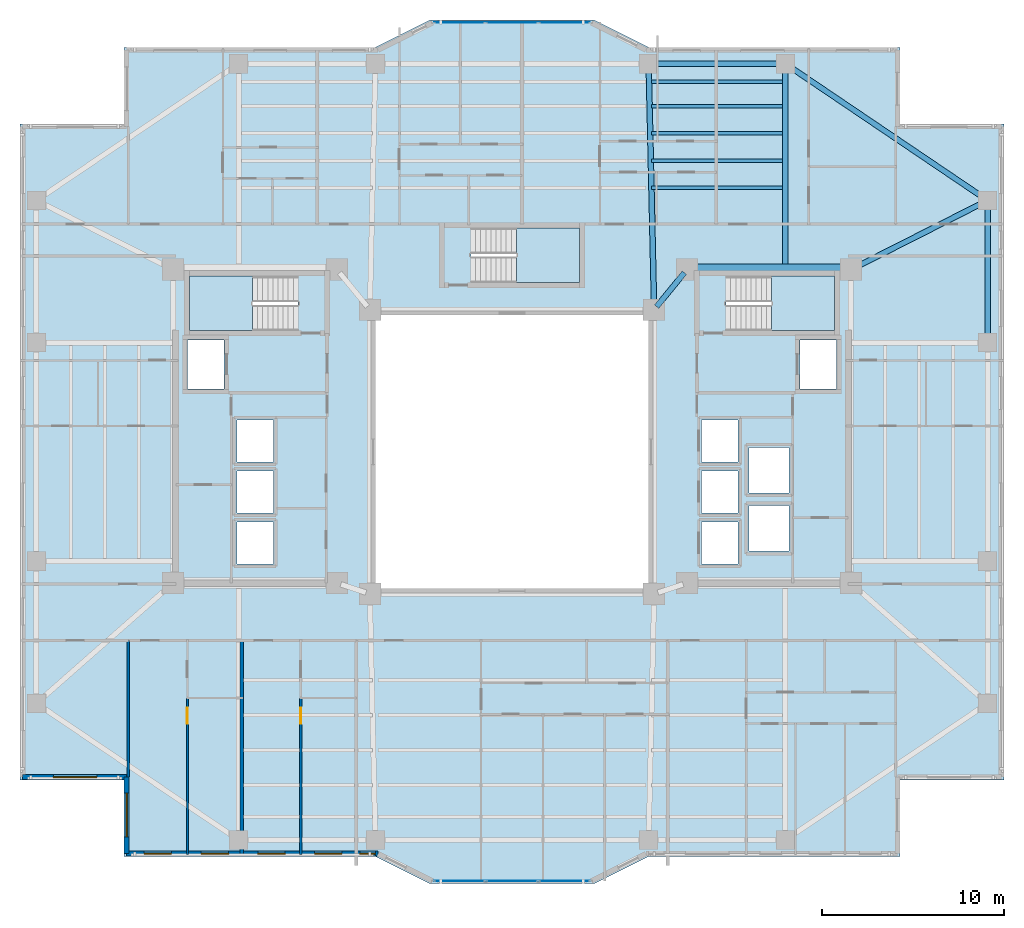
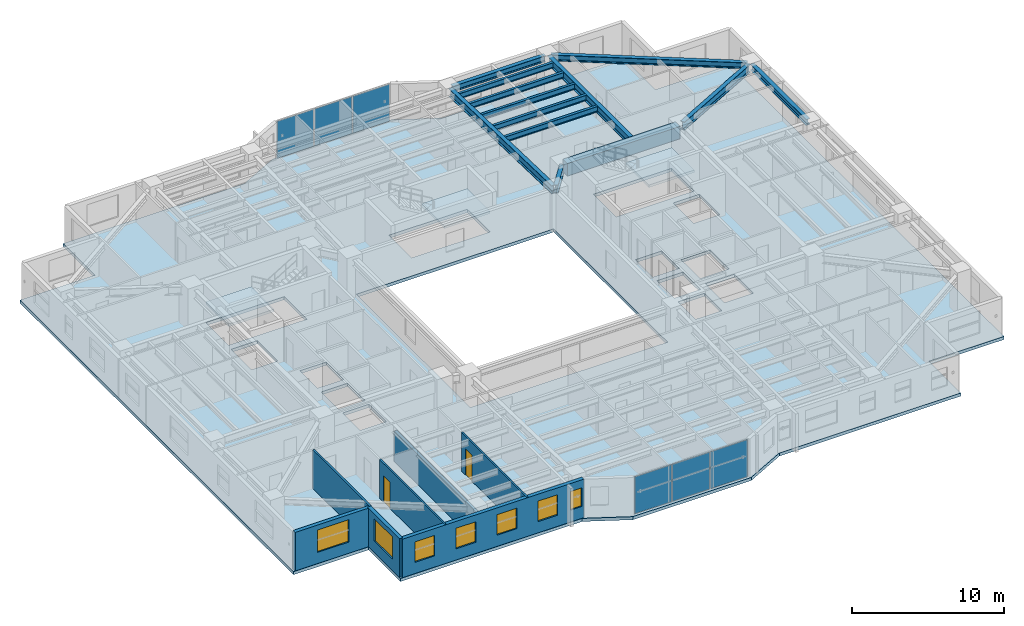
# One storey, part 5 of 19: 13 beams, 7 walls, 7 windows, 6 plates, 4 slabs, 2 doors, 9 openings, 5 elements without a shape of their own.
"""IFC4 building model written with IfcOpenShell, lengths in metres."""

from ifc_helpers import new_model, si_unit, direction, frame, frame_2d, origin, origin_2d, place, context, subcontext, project, spatial, polyline, rectangle, i_section, outline, extrude, material, layer, layer_set, material_profile, profile_set, type_object, element, fill, aggregate, save


model = new_model("IFC4")

# Units and contexts
model_context = context("Model", 3, precision=1e-05, world=origin(), true_north=direction((0.0, 1.0)))
body_context = subcontext(model_context, "Body", "Model", "MODEL_VIEW")
ifc_project = project(units=[si_unit("LENGTHUNIT", "METRE"), si_unit("AREAUNIT", "SQUARE_METRE"), si_unit("VOLUMEUNIT", "CUBIC_METRE"), si_unit("PLANEANGLEUNIT", "RADIAN"), si_unit("MASSUNIT", "GRAM", prefix="KILO")], contexts=[model_context])

# Site, building, storey
site_placement = place(None, origin())
site = spatial("IfcSite", under=ifc_project, at=site_placement, CompositionType="ELEMENT")
building_placement = place(site_placement, origin())
building = spatial("IfcBuilding", under=site, at=building_placement, Name="Tarnavaz Court Tower", CompositionType="ELEMENT")
storey_placement = place(building_placement, frame((0.0, 0.0, 81.64990234375)))
storey = spatial("IfcBuildingStorey", under=building, at=storey_placement, Name="L21", CompositionType="ELEMENT", Elevation=81.64990234375)

# Beams
ifc_material_1 = material(Name="Concrete C60/75", Category="concrete")
ifc_material_profile_1 = material_profile(ifc_material_1, rectangle(XDim=0.60009765625, YDim=1.0, at=origin_2d()), Name="RC 600X1000")
ifc_profile_set_1 = profile_set([ifc_material_profile_1], Name="Concrete C60/75")
beam_type_1 = type_object("IfcBeamType", Name="BM-CB1000", PredefinedType="LINTEL", material=ifc_profile_set_1)
beam_1_placement = place(storey_placement, frame((18.3798828125, 10.0, 2.60009765625), z_axis=(-1.0, 0.0, 0.0), x_axis=(0.0, -1.0, 0.0)))
element("IfcBeam", 1, at=beam_1_placement, inside=storey, type_object=beam_type_1, Name="L21 Beam IN-CE-NO-CE-NI", PredefinedType="LINTEL", context=body_context, shape_type="SweptSolid", body=[
    extrude(rectangle(XDim=0.60009765625, YDim=1.0, at=origin_2d()), origin(), (0.0, 0.0, 1.0), 8.559814453125),
])
ifc_material_2 = material(Name="Steel S355", Category="steel")
ifc_material_profile_2 = material_profile(ifc_material_2, i_section(OverallWidth=0.300048828125, OverallDepth=0.64990234375, WebThickness=0.01611328125, FlangeThickness=0.031005859375, FilletRadius=0.027099609375, at=origin_2d()), Name="HEB 650")
ifc_profile_set_2 = profile_set([ifc_material_profile_2], Name="Steel S355")
beam_type_2 = type_object("IfcBeamType", Name="BM-G-HEB650", PredefinedType="USERDEFINED", material=ifc_profile_set_2)
beam_2_placement = place(storey_placement, frame((9.460693359375, 9.82958984375, 2.775146484375), z_axis=(-0.633282058357, -0.773921077735, 0.0), x_axis=(0.773921077735, -0.633282058357, 0.0)))
element("IfcBeam", 2, at=beam_2_placement, inside=storey, type_object=beam_type_2, Name="L21 Beam IN-CE-NI-IW-NE", ObjectType="GIRDER", PredefinedType="USERDEFINED", context=body_context, shape_type="SweptSolid", body=[
    extrude(i_section(OverallWidth=0.300048828125, OverallDepth=0.64990234375, WebThickness=0.01611328125, FlangeThickness=0.031005859375, FilletRadius=0.027099609375, at=origin_2d()), origin(), (0.0, 0.0, 1.0), 2.402587890625),
])
beam_3_placement = place(storey_placement, frame((7.795166015625, 8.02001953125, 2.775146484375), z_axis=(-0.022221303469, 0.99975307635, 0.0), x_axis=(-0.99975307635, -0.022221303469, 0.0)))
element("IfcBeam", 3, at=beam_3_placement, inside=storey, type_object=beam_type_2, Name="L21 Beam RG-03", ObjectType="GIRDER", PredefinedType="USERDEFINED", context=body_context, shape_type="SweptSolid", body=[
    extrude(i_section(OverallWidth=0.300048828125, OverallDepth=0.64990234375, WebThickness=0.01611328125, FlangeThickness=0.031005859375, FilletRadius=0.027099609375, at=origin_2d()), origin(), (0.0, 0.0, 1.0), 13.063232421875),
])
beam_4_placement = place(storey_placement, frame((15.0, 10.0400390625, 2.775146484375), z_axis=(0.0, 1.0, 0.0), x_axis=(-1.0, 0.0, 0.0)))
element("IfcBeam", 4, at=beam_4_placement, inside=storey, type_object=beam_type_2, Name="L21 Beam RG-04", ObjectType="GIRDER", PredefinedType="USERDEFINED", context=body_context, shape_type="SweptSolid", body=[
    extrude(i_section(OverallWidth=0.300048828125, OverallDepth=0.64990234375, WebThickness=0.01611328125, FlangeThickness=0.031005859375, FilletRadius=0.027099609375, at=origin_2d()), origin(), (0.0, 0.0, 1.0), 11.0400390625),
])
beam_5_placement = place(storey_placement, frame((18.796142578125, 10.099365234375, 2.775146484375), z_axis=(0.892030669981, 0.451974870776, 0.0), x_axis=(-0.451974870776, 0.892030669981, 0.0)))
element("IfcBeam", 5, at=beam_5_placement, inside=storey, type_object=beam_type_2, Name="L21 Beam RG-12", ObjectType="GIRDER", PredefinedType="USERDEFINED", context=body_context, shape_type="SweptSolid", body=[
    extrude(i_section(OverallWidth=0.300048828125, OverallDepth=0.64990234375, WebThickness=0.01611328125, FlangeThickness=0.031005859375, FilletRadius=0.027099609375, at=origin_2d()), origin(), (0.0, 0.0, 1.0), 7.968017578125),
])
ifc_material_profile_3 = material_profile(ifc_material_2, i_section(OverallWidth=0.18994140625, OverallDepth=0.449951171875, WebThickness=0.009521484375, FlangeThickness=0.0146484375, FilletRadius=0.02099609375, at=origin_2d()), Name="IPE 450")
ifc_profile_set_3 = profile_set([ifc_material_profile_3], Name="Steel S355")
beam_type_3 = type_object("IfcBeamType", Name="BM-J-IPE450", PredefinedType="JOIST", material=ifc_profile_set_3)
for number, where, z_axis, x_axis, name in (
    (6, (7.64990234375, 14.493896484375, 2.875), (1.0, 0.0, 0.0), (0.0, 1.0, 0.0), "L21 Beam JN1-3"),
    (7, (7.64990234375, 15.988037109375, 2.875), (1.0, 0.0, 0.0), (0.0, 1.0, 0.0), "L21 Beam JN2-3"),
    (8, (7.64990234375, 17.48193359375, 2.875), (1.0, 0.0, 0.0), (0.0, 1.0, 0.0), "L21 Beam JN3-3"),
    (9, (7.64990234375, 18.97607421875, 2.875), (1.0, 0.0, 0.0), (0.0, 1.0, 0.0), "L21 Beam JN4-3"),
    (10, (7.64990234375, 20.303955078125, 2.875), (1.0, 0.0, 0.0), (0.0, 1.0, 0.0), "L21 Beam JN5-3"),
):
    element("IfcBeam", number, at=place(storey_placement, frame(where, z_axis=z_axis, x_axis=x_axis)), inside=storey, type_object=beam_type_3, Name=name, PredefinedType="JOIST", context=body_context, shape_type="SweptSolid", body=[
        extrude(i_section(OverallWidth=0.18994140625, OverallDepth=0.449951171875, WebThickness=0.009521484375, FlangeThickness=0.0146484375, FilletRadius=0.02099609375, at=origin_2d()), origin(), (0.0, 0.0, 1.0), 7.2001953125),
    ])
ifc_material_profile_4 = material_profile(ifc_material_2, i_section(OverallWidth=0.300048828125, OverallDepth=0.489990234375, WebThickness=0.011962890625, FlangeThickness=0.02294921875, FilletRadius=0.027099609375, at=origin_2d()), Name="HEA 500")
ifc_profile_set_4 = profile_set([ifc_material_profile_4], Name="Steel S355")
beam_type_4 = type_object("IfcBeamType", Name="BM-SP-HEA500", PredefinedType="SPANDREL", material=ifc_profile_set_4)
beam_6_placement = place(storey_placement, frame((7.719970703125, 21.300048828125, 2.85498046875), z_axis=(1.0, 0.0, 0.0), x_axis=(0.0, 1.0, 0.0)))
element("IfcBeam", 11, at=beam_6_placement, inside=storey, type_object=beam_type_4, Name="L21 Beam PR-PN-3-PN-4", PredefinedType="SPANDREL", context=body_context, shape_type="SweptSolid", body=[
    extrude(i_section(OverallWidth=0.300048828125, OverallDepth=0.489990234375, WebThickness=0.011962890625, FlangeThickness=0.02294921875, FilletRadius=0.027099609375, at=origin_2d()), origin(), (0.0, 0.0, 1.0), 7.06005859375),
])
beam_7_placement = place(storey_placement, frame((26.10009765625, 6.219970703125, 2.85498046875), z_axis=(0.0, 1.0, 0.0), x_axis=(-1.0, 0.0, 0.0)))
element("IfcBeam", 12, at=beam_7_placement, inside=storey, type_object=beam_type_4, Name="L21 Beam PR-PE-3-PE-4", PredefinedType="SPANDREL", context=body_context, shape_type="SweptSolid", body=[
    extrude(i_section(OverallWidth=0.300048828125, OverallDepth=0.489990234375, WebThickness=0.011962890625, FlangeThickness=0.02294921875, FilletRadius=0.027099609375, at=origin_2d()), origin(), (0.0, 0.0, 1.0), 7.360107421875),
])
beam_8_placement = place(storey_placement, frame((15.182373046875, 21.1767578125, 2.85498046875), z_axis=(0.828587314918, -0.559859858854, 0.0), x_axis=(0.559859858854, 0.828587314918, 0.0)))
element("IfcBeam", 13, at=beam_8_placement, inside=storey, type_object=beam_type_4, Name="L21 Beam PR-PN-4-PE-4", PredefinedType="SPANDREL", context=body_context, shape_type="SweptSolid", body=[
    extrude(i_section(OverallWidth=0.300048828125, OverallDepth=0.489990234375, WebThickness=0.011962890625, FlangeThickness=0.02294921875, FilletRadius=0.027099609375, at=origin_2d()), origin(), (0.0, 0.0, 1.0), 12.956298828125),
])

# Curtain wall, plates
ifc_material_3 = material(Name="Anodised Aluminium 6063-T6 and Solar Low-E Glazing", Category="aluminium")
ifc_layer_1 = layer(ifc_material_3, 0.179931640625)
ifc_layer_set_1 = layer_set([ifc_layer_1], Name="Anodised Aluminium 6063-T6 and Solar Low-E Glazing")
curtain_wall_type = type_object("IfcCurtainWallType", Name="CW-SYS-02", PredefinedType="NOTDEFINED", material=ifc_layer_set_1)
curtain_wall_1_placement = place(storey_placement, origin())
curtain_wall_1 = element("IfcCurtainWall", 14, at=curtain_wall_1_placement, inside=storey, type_object=curtain_wall_type, Name="L21 Iwan Prow Curtain Wall 7", PredefinedType="NOTDEFINED")
ifc_material_4 = material(Name="Double-Glazed Solar Low-E Glass", Category="glass")
ifc_layer_2 = layer(ifc_material_4, 0.028076171875)
ifc_layer_set_2 = layer_set([ifc_layer_2], Name="Double-Glazed Solar Low-E Glass")
plate_type = type_object("IfcPlateType", Name="CW-PAN-GLZ28", PredefinedType="CURTAIN_PANEL", material=ifc_layer_set_2)
plate_1_placement = place(storey_placement, frame((-2.88134765625, 23.550048828125, 0.06494140625), z_axis=(0.0, 0.0, 1.0), x_axis=(1.0, 0.0, 0.0)))
plate_1 = element("IfcPlate", 15, at=plate_1_placement, type_object=plate_type, Name="CW panel 1.1", PredefinedType="CURTAIN_PANEL", context=body_context, shape_type="SweptSolid", body=[
    extrude(rectangle(XDim=2.78759765625, YDim=0.028076171875, at=origin_2d()), origin(), (0.0, 0.0, 1.0), 2.969970703125),
])
plate_2_placement = place(storey_placement, frame((0.0, 23.550048828125, 0.06494140625), z_axis=(0.0, 0.0, 1.0), x_axis=(1.0, 0.0, 0.0)))
plate_2 = element("IfcPlate", 16, at=plate_2_placement, type_object=plate_type, Name="CW panel 2.1", PredefinedType="CURTAIN_PANEL", context=body_context, shape_type="SweptSolid", body=[
    extrude(rectangle(XDim=2.824951171875, YDim=0.028076171875, at=origin_2d()), origin(), (0.0, 0.0, 1.0), 2.969970703125),
])
plate_3_placement = place(storey_placement, frame((2.88134765625, 23.550048828125, 0.06494140625), z_axis=(0.0, 0.0, 1.0), x_axis=(1.0, 0.0, 0.0)))
plate_3 = element("IfcPlate", 17, at=plate_3_placement, type_object=plate_type, Name="CW panel 3.1", PredefinedType="CURTAIN_PANEL", context=body_context, shape_type="SweptSolid", body=[
    extrude(rectangle(XDim=2.78759765625, YDim=0.028076171875, at=origin_2d()), origin(), (0.0, 0.0, 1.0), 2.969970703125),
])
aggregate(curtain_wall_1, [plate_1, plate_2, plate_3])

curtain_wall_2_placement = place(storey_placement, origin())
curtain_wall_2 = element("IfcCurtainWall", 18, at=curtain_wall_2_placement, inside=storey, type_object=curtain_wall_type, Name="L21 Iwan Prow Curtain Wall 17", PredefinedType="NOTDEFINED")
plate_4_placement = place(storey_placement, frame((2.88134765625, -23.550048828125, 0.06494140625), z_axis=(0.0, 0.0, 1.0), x_axis=(-1.0, 0.0, 0.0)))
plate_4 = element("IfcPlate", 19, at=plate_4_placement, type_object=plate_type, Name="CW panel 1.1", PredefinedType="CURTAIN_PANEL", context=body_context, shape_type="SweptSolid", body=[
    extrude(rectangle(XDim=2.78759765625, YDim=0.028076171875, at=origin_2d()), origin(), (0.0, 0.0, 1.0), 2.969970703125),
])
plate_5_placement = place(storey_placement, frame((0.0, -23.550048828125, 0.06494140625), z_axis=(0.0, 0.0, 1.0), x_axis=(-1.0, 0.0, 0.0)))
plate_5 = element("IfcPlate", 20, at=plate_5_placement, type_object=plate_type, Name="CW panel 2.1", PredefinedType="CURTAIN_PANEL", context=body_context, shape_type="SweptSolid", body=[
    extrude(rectangle(XDim=2.824951171875, YDim=0.028076171875, at=origin_2d()), origin(), (0.0, 0.0, 1.0), 2.969970703125),
])
plate_6_placement = place(storey_placement, frame((-2.88134765625, -23.550048828125, 0.06494140625), z_axis=(0.0, 0.0, 1.0), x_axis=(-1.0, 0.0, 0.0)))
plate_6 = element("IfcPlate", 21, at=plate_6_placement, type_object=plate_type, Name="CW panel 3.1", PredefinedType="CURTAIN_PANEL", context=body_context, shape_type="SweptSolid", body=[
    extrude(rectangle(XDim=2.78759765625, YDim=0.028076171875, at=origin_2d()), origin(), (0.0, 0.0, 1.0), 2.969970703125),
])
aggregate(curtain_wall_2, [plate_4, plate_5, plate_6])

# Stair, slab
ifc_material_5 = material(Name="Concrete C40/50", Category="concrete")
stair_type = type_object("IfcStairType", Name="ST-TWR-20R", PredefinedType="HALF_TURN_STAIR", material=ifc_material_5)
stair_1_placement = place(storey_placement, origin())
stair_1 = element("IfcStair", 22, at=stair_1_placement, inside=storey, type_object=stair_type, Name="L21 West Core Pressurized Exit Stair ST-W1", PredefinedType="HALF_TURN_STAIR")
ifc_layer_3 = layer(ifc_material_5, 0.199951171875)
ifc_layer_set_3 = layer_set([ifc_layer_3], Name="Concrete C40/50")
slab_type_1 = type_object("IfcSlabType", Name="SL-LAND-200", PredefinedType="LANDING", material=ifc_layer_set_3)
slab_1_placement = place(storey_placement, frame((0.0, 0.0, 1.47509765625)))
slab_1 = element("IfcSlab", 23, at=slab_1_placement, type_object=slab_type_1, Name="ST-W1 landing 1", PredefinedType="LANDING", context=body_context, shape_type="SweptSolid", body=[
    extrude(outline(polyline([(-14.239990234375, 9.639892578125), (-17.699951171875, 9.639892578125), (-17.699951171875, 6.64990234375), (-14.239990234375, 6.64990234375), (-14.239990234375, 9.639892578125)])), origin(), (0.0, 0.0, 1.0), 0.199951171875),
])
aggregate(stair_1, [slab_1])

stair_2_placement = place(storey_placement, origin())
stair_2 = element("IfcStair", 24, at=stair_2_placement, inside=storey, type_object=stair_type, Name="L21 East Core Pressurized Exit Stair ST-E1", PredefinedType="HALF_TURN_STAIR")
slab_2_placement = place(storey_placement, frame((0.0, 0.0, 1.47509765625)))
slab_2 = element("IfcSlab", 25, at=slab_2_placement, type_object=slab_type_1, Name="ST-E1 landing 1", PredefinedType="LANDING", context=body_context, shape_type="SweptSolid", body=[
    extrude(outline(polyline([(14.239990234375, 6.64990234375), (17.699951171875, 6.64990234375), (17.699951171875, 9.639892578125), (14.239990234375, 9.639892578125), (14.239990234375, 6.64990234375)])), origin(), (0.0, 0.0, 1.0), 0.199951171875),
])
aggregate(stair_2, [slab_2])

stair_3_placement = place(storey_placement, origin())
stair_3 = element("IfcStair", 26, at=stair_3_placement, inside=storey, type_object=stair_type, Name="L21 North Ring Pressurized Exit Stair ST-N1", PredefinedType="HALF_TURN_STAIR")
slab_3_placement = place(storey_placement, frame((0.0, 0.0, 1.47509765625)))
slab_3 = element("IfcSlab", 27, at=slab_3_placement, type_object=slab_type_1, Name="ST-N1 landing 1", PredefinedType="LANDING", context=body_context, shape_type="SweptSolid", body=[
    extrude(outline(polyline([(0.239990234375, 9.300048828125), (3.699951171875, 9.300048828125), (3.699951171875, 12.2900390625), (0.239990234375, 12.2900390625), (0.239990234375, 9.300048828125)])), origin(), (0.0, 0.0, 1.0), 0.199951171875),
])
aggregate(stair_3, [slab_3])

# Slab
ifc_layer_4 = layer(ifc_material_5, 0.25)
ifc_layer_set_4 = layer_set([ifc_layer_4], Name="Concrete C40/50")
slab_type_2 = type_object("IfcSlabType", Name="SL-RES-250", PredefinedType="FLOOR", material=ifc_layer_set_4)
slab_4_placement = place(storey_placement, frame((0.0, 0.0, -0.25)))
element("IfcSlab", 28, at=slab_4_placement, inside=storey, type_object=slab_type_2, Name="L21 Structural Floor Slab", PredefinedType="FLOOR", context=body_context, shape_type="SweptSolid", body=[
    extrude(outline(polyline([(-21.300048828125, -22.199951171875), (-7.5, -22.199951171875), (-4.5, -23.699951171875), (4.5, -23.699951171875), (7.5, -22.199951171875), (21.300048828125, -22.199951171875), (21.300048828125, -18.0), (27.0, -18.0), (27.0, 18.0), (21.300048828125, 18.0), (21.300048828125, 22.199951171875), (7.5, 22.199951171875), (4.5, 23.699951171875), (-4.5, 23.699951171875), (-7.5, 22.199951171875), (-21.300048828125, 22.199951171875), (-21.300048828125, 18.0), (-27.0, 18.0), (-27.0, -18.0), (-21.300048828125, -18.0), (-21.300048828125, -22.199951171875)]), holes=[polyline([(-7.5, -7.5), (7.5, -7.5), (7.5, 7.5), (-7.5, 7.5), (-7.5, -7.5)]), polyline([(-11.7451171875, 9.639892578125), (-17.699951171875, 9.639892578125), (-17.699951171875, 6.64990234375), (-11.7451171875, 6.64990234375), (-11.7451171875, 9.639892578125)]), polyline([(11.7451171875, 6.64990234375), (17.699951171875, 6.64990234375), (17.699951171875, 9.639892578125), (11.7451171875, 9.639892578125), (11.7451171875, 6.64990234375)]), polyline([(-2.2548828125, 9.300048828125), (3.699951171875, 9.300048828125), (3.699951171875, 12.2900390625), (-2.2548828125, 12.2900390625), (-2.2548828125, 9.300048828125)]), polyline([(-17.800048828125, 3.449951171875), (-15.800048828125, 3.449951171875), (-15.800048828125, 6.14990234375), (-17.800048828125, 6.14990234375), (-17.800048828125, 3.449951171875)]), polyline([(-15.10009765625, -6.14990234375), (-13.10009765625, -6.14990234375), (-13.10009765625, -3.85009765625), (-15.10009765625, -3.85009765625), (-15.10009765625, -6.14990234375)]), polyline([(-15.10009765625, -3.35009765625), (-13.10009765625, -3.35009765625), (-13.10009765625, -1.050048828125), (-15.10009765625, -1.050048828125), (-15.10009765625, -3.35009765625)]), polyline([(-15.10009765625, -0.550048828125), (-13.10009765625, -0.550048828125), (-13.10009765625, 1.75), (-15.10009765625, 1.75), (-15.10009765625, -0.550048828125)]), polyline([(15.800048828125, 3.449951171875), (17.800048828125, 3.449951171875), (17.800048828125, 6.14990234375), (15.800048828125, 6.14990234375), (15.800048828125, 3.449951171875)]), polyline([(10.39990234375, -6.14990234375), (12.39990234375, -6.14990234375), (12.39990234375, -3.85009765625), (10.39990234375, -3.85009765625), (10.39990234375, -6.14990234375)]), polyline([(10.39990234375, -3.35009765625), (12.39990234375, -3.35009765625), (12.39990234375, -1.050048828125), (10.39990234375, -1.050048828125), (10.39990234375, -3.35009765625)]), polyline([(10.39990234375, -0.550048828125), (12.39990234375, -0.550048828125), (12.39990234375, 1.75), (10.39990234375, 1.75), (10.39990234375, -0.550048828125)]), polyline([(13.0, -5.449951171875), (15.199951171875, -5.449951171875), (15.199951171875, -2.949951171875), (13.0, -2.949951171875), (13.0, -5.449951171875)]), polyline([(13.0, -2.25), (15.199951171875, -2.25), (15.199951171875, 0.25), (13.0, 0.25), (13.0, -2.25)])]), origin(), (0.0, 0.0, 1.0), 0.25),
])

# Wall, opening, window
ifc_material_6 = material(Name="Precast Concrete C40/50", Category="concrete")
ifc_layer_5 = layer(ifc_material_6, 0.280029296875)
ifc_layer_set_5 = layer_set([ifc_layer_5], Name="Precast Concrete C40/50")
wall_type_1 = type_object("IfcWallType", Name="WL-EXT-280", PredefinedType="SOLIDWALL", material=ifc_layer_set_5)
wall_1_placement = place(storey_placement, frame((-21.14990234375, -17.85009765625, 0.0), z_axis=(0.0, 0.0, 1.0), x_axis=(-1.0, 0.0, 0.0)))
wall_1 = element("IfcWall", 29, at=wall_1_placement, inside=storey, type_object=wall_type_1, Name="L21 Exterior Terracotta Facade Wall 01", PredefinedType="SOLIDWALL", context=body_context, shape_type="SweptSolid", body=[
    extrude(rectangle(XDim=5.7001953125, YDim=0.280029296875, at=frame_2d((2.85009765625, 0.0))), origin(), (0.0, 0.0, 1.0), 3.10009765625),
])
opening_1_placement = place(wall_1_placement, frame((1.625, 0.0, 0.89990234375)))
opening_1 = element("IfcOpeningElement", 30, at=opening_1_placement, cuts=wall_1, Name="Opening W06", PredefinedType="OPENING", context=body_context, shape_type="SweptSolid", body=[
    extrude(rectangle(XDim=2.39990234375, YDim=1.800048828125, at=frame_2d((1.199951171875, 0.89990234375))), frame((0.0, 0.14990234375, 0.0), z_axis=(0.0, -1.0, 0.0), x_axis=(1.0, 0.0, 0.0)), (0.0, 0.0, 1.0), 0.300048828125),
])
window_type_1 = type_object("IfcWindowType", Name="WN-APT-2400", PartitioningType="TRIPLE_PANEL_VERTICAL", PredefinedType="WINDOW", material=ifc_material_4)
window_1_placement = place(opening_1_placement, origin())
window_1 = element("IfcWindow", 31, at=window_1_placement, inside=storey, type_object=window_type_1, Name="L21 South-West Corner Reading Room Window", OverallHeight=1.800048828125, OverallWidth=2.39990234375, PartitioningType="SINGLE_PANEL", PredefinedType="WINDOW", context=body_context, shape_type="SweptSolid", body=[
    extrude(rectangle(XDim=2.39990234375, YDim=1.800048828125, at=frame_2d((1.199951171875, 0.89990234375))), frame((0.0, 0.030029296875, 0.0), z_axis=(0.0, -1.0, 0.0), x_axis=(1.0, 0.0, 0.0)), (0.0, 0.0, 1.0), 0.06005859375),
])
fill(opening_1, window_1)

# Wall, openings, windows
wall_2_placement = place(storey_placement, frame((-7.35009765625, -22.050048828125, 0.0), z_axis=(0.0, 0.0, 1.0), x_axis=(-1.0, 0.0, 0.0)))
wall_2 = element("IfcWall", 32, at=wall_2_placement, inside=storey, type_object=wall_type_1, Name="L21 Exterior Terracotta Facade Wall 19", PredefinedType="SOLIDWALL", context=body_context, shape_type="SweptSolid", body=[
    extrude(rectangle(XDim=13.7998046875, YDim=0.280029296875, at=frame_2d((6.89990234375, 0.0))), origin(), (0.0, 0.0, 1.0), 3.10009765625),
])
opening_2_placement = place(wall_2_placement, frame((0.14697265625, 0.0, 0.949951171875)))
opening_2 = element("IfcOpeningElement", 33, at=opening_2_placement, cuts=wall_2, Name="Opening W15", PredefinedType="OPENING", context=body_context, shape_type="SweptSolid", body=[
    extrude(rectangle(XDim=0.85009765625, YDim=1.5, at=frame_2d((0.425048828125, 0.75))), frame((0.0, 0.14990234375, 0.0), z_axis=(0.0, -1.0, 0.0), x_axis=(1.0, 0.0, 0.0)), (0.0, 0.0, 1.0), 0.300048828125),
])
opening_3_placement = place(wall_2_placement, frame((1.98486328125, 0.0, 0.89990234375)))
opening_3 = element("IfcOpeningElement", 34, at=opening_3_placement, cuts=wall_2, Name="Opening W03", PredefinedType="OPENING", context=body_context, shape_type="SweptSolid", body=[
    extrude(rectangle(XDim=1.5, YDim=1.64990234375, at=frame_2d((0.75, 0.824951171875))), frame((0.0, 0.14990234375, 0.0), z_axis=(0.0, -1.0, 0.0), x_axis=(1.0, 0.0, 0.0)), (0.0, 0.0, 1.0), 0.300048828125),
])
opening_4_placement = place(wall_2_placement, frame((5.09619140625, 0.0, 0.89990234375)))
opening_4 = element("IfcOpeningElement", 35, at=opening_4_placement, cuts=wall_2, Name="Opening W03", PredefinedType="OPENING", context=body_context, shape_type="SweptSolid", body=[
    extrude(rectangle(XDim=1.5, YDim=1.64990234375, at=frame_2d((0.75, 0.824951171875))), frame((0.0, 0.14990234375, 0.0), z_axis=(0.0, -1.0, 0.0), x_axis=(1.0, 0.0, 0.0)), (0.0, 0.0, 1.0), 0.300048828125),
])
opening_5_placement = place(wall_2_placement, frame((8.20751953125, 0.0, 0.89990234375)))
opening_5 = element("IfcOpeningElement", 36, at=opening_5_placement, cuts=wall_2, Name="Opening W03", PredefinedType="OPENING", context=body_context, shape_type="SweptSolid", body=[
    extrude(rectangle(XDim=1.5, YDim=1.64990234375, at=frame_2d((0.75, 0.824951171875))), frame((0.0, 0.14990234375, 0.0), z_axis=(0.0, -1.0, 0.0), x_axis=(1.0, 0.0, 0.0)), (0.0, 0.0, 1.0), 0.300048828125),
])
opening_6_placement = place(wall_2_placement, frame((11.34375, 0.0, 0.89990234375)))
opening_6 = element("IfcOpeningElement", 37, at=opening_6_placement, cuts=wall_2, Name="Opening W03", PredefinedType="OPENING", context=body_context, shape_type="SweptSolid", body=[
    extrude(rectangle(XDim=1.5, YDim=1.64990234375, at=frame_2d((0.75, 0.824951171875))), frame((0.0, 0.14990234375, 0.0), z_axis=(0.0, -1.0, 0.0), x_axis=(1.0, 0.0, 0.0)), (0.0, 0.0, 1.0), 0.300048828125),
])
window_type_2 = type_object("IfcWindowType", Name="WN-APT-1500", PartitioningType="DOUBLE_PANEL_VERTICAL", PredefinedType="WINDOW", material=ifc_material_4)
window_2_placement = place(opening_3_placement, origin())
window_2 = element("IfcWindow", 38, at=window_2_placement, inside=storey, type_object=window_type_2, Name="L21 Flat 06 Kitchen Window", OverallHeight=1.64990234375, OverallWidth=1.5, PartitioningType="SINGLE_PANEL", PredefinedType="WINDOW", context=body_context, shape_type="SweptSolid", body=[
    extrude(rectangle(XDim=1.5, YDim=1.64990234375, at=frame_2d((0.75, 0.824951171875))), frame((0.0, 0.030029296875, 0.0), z_axis=(0.0, -1.0, 0.0), x_axis=(1.0, 0.0, 0.0)), (0.0, 0.0, 1.0), 0.06005859375),
])
fill(opening_3, window_2)
window_3_placement = place(opening_4_placement, origin())
window_3 = element("IfcWindow", 39, at=window_3_placement, inside=storey, type_object=window_type_2, Name="L21 Flat 06 Studio Living and Sleeping Room Window", OverallHeight=1.64990234375, OverallWidth=1.5, PartitioningType="SINGLE_PANEL", PredefinedType="WINDOW", context=body_context, shape_type="SweptSolid", body=[
    extrude(rectangle(XDim=1.5, YDim=1.64990234375, at=frame_2d((0.75, 0.824951171875))), frame((0.0, 0.030029296875, 0.0), z_axis=(0.0, -1.0, 0.0), x_axis=(1.0, 0.0, 0.0)), (0.0, 0.0, 1.0), 0.06005859375),
])
fill(opening_4, window_3)
window_4_placement = place(opening_5_placement, origin())
window_4 = element("IfcWindow", 40, at=window_4_placement, inside=storey, type_object=window_type_2, Name="L21 Flat 05 Kitchen Window", OverallHeight=1.64990234375, OverallWidth=1.5, PartitioningType="SINGLE_PANEL", PredefinedType="WINDOW", context=body_context, shape_type="SweptSolid", body=[
    extrude(rectangle(XDim=1.5, YDim=1.64990234375, at=frame_2d((0.75, 0.824951171875))), frame((0.0, 0.030029296875, 0.0), z_axis=(0.0, -1.0, 0.0), x_axis=(1.0, 0.0, 0.0)), (0.0, 0.0, 1.0), 0.06005859375),
])
fill(opening_5, window_4)
window_5_placement = place(opening_6_placement, origin())
window_5 = element("IfcWindow", 41, at=window_5_placement, inside=storey, type_object=window_type_2, Name="L21 Flat 05 Studio Living and Sleeping Room Window", OverallHeight=1.64990234375, OverallWidth=1.5, PartitioningType="SINGLE_PANEL", PredefinedType="WINDOW", context=body_context, shape_type="SweptSolid", body=[
    extrude(rectangle(XDim=1.5, YDim=1.64990234375, at=frame_2d((0.75, 0.824951171875))), frame((0.0, 0.030029296875, 0.0), z_axis=(0.0, -1.0, 0.0), x_axis=(1.0, 0.0, 0.0)), (0.0, 0.0, 1.0), 0.06005859375),
])
fill(opening_6, window_5)
window_type_3 = type_object("IfcWindowType", Name="WN-APT-850", PartitioningType="SINGLE_PANEL", PredefinedType="WINDOW", material=ifc_material_4)
window_6_placement = place(opening_2_placement, origin())
window_6 = element("IfcWindow", 42, at=window_6_placement, inside=storey, type_object=window_type_3, Name="L21 Flat 08 Living and Dining Room Window", OverallHeight=1.5, OverallWidth=0.85009765625, PartitioningType="SINGLE_PANEL", PredefinedType="WINDOW", context=body_context, shape_type="SweptSolid", body=[
    extrude(rectangle(XDim=0.85009765625, YDim=1.5, at=frame_2d((0.425048828125, 0.75))), frame((0.0, 0.030029296875, 0.0), z_axis=(0.0, -1.0, 0.0), x_axis=(1.0, 0.0, 0.0)), (0.0, 0.0, 1.0), 0.06005859375),
])
fill(opening_2, window_6)

# Wall, opening, window
wall_3_placement = place(storey_placement, frame((-21.14990234375, -22.050048828125, 0.0), z_axis=(0.0, 0.0, 1.0), x_axis=(0.0, 1.0, 0.0)))
wall_3 = element("IfcWall", 43, at=wall_3_placement, inside=storey, type_object=wall_type_1, Name="L21 Exterior Terracotta Facade Wall 20", PredefinedType="SOLIDWALL", context=body_context, shape_type="SweptSolid", body=[
    extrude(rectangle(XDim=4.199951171875, YDim=0.280029296875, at=frame_2d((2.10009765625, 0.0))), origin(), (0.0, 0.0, 1.0), 3.10009765625),
])
opening_7_placement = place(wall_3_placement, frame((0.917724609375, 0.0, 0.89990234375)))
opening_7 = element("IfcOpeningElement", 44, at=opening_7_placement, cuts=wall_3, Name="Opening W06", PredefinedType="OPENING", context=body_context, shape_type="SweptSolid", body=[
    extrude(rectangle(XDim=2.39990234375, YDim=1.800048828125, at=frame_2d((1.199951171875, 0.89990234375))), frame((0.0, 0.14990234375, 0.0), z_axis=(0.0, -1.0, 0.0), x_axis=(1.0, 0.0, 0.0)), (0.0, 0.0, 1.0), 0.300048828125),
])
window_7_placement = place(opening_7_placement, origin())
window_7 = element("IfcWindow", 45, at=window_7_placement, inside=storey, type_object=window_type_1, Name="L21 Flat 05 Studio Living and Sleeping Room Window", OverallHeight=1.800048828125, OverallWidth=2.39990234375, PartitioningType="SINGLE_PANEL", PredefinedType="WINDOW", context=body_context, shape_type="SweptSolid", body=[
    extrude(rectangle(XDim=2.39990234375, YDim=1.800048828125, at=frame_2d((1.199951171875, 0.89990234375))), frame((0.0, 0.030029296875, 0.0), z_axis=(0.0, -1.0, 0.0), x_axis=(1.0, 0.0, 0.0)), (0.0, 0.0, 1.0), 0.06005859375),
])
fill(opening_7, window_7)

# Wall
ifc_material_7 = material(Name="Autoclaved Aerated Concrete Blockwork", Category="masonry")
ifc_layer_6 = layer(ifc_material_7, 0.199951171875)
ifc_layer_set_6 = layer_set([ifc_layer_6], Name="Autoclaved Aerated Concrete Blockwork")
wall_type_2 = type_object("IfcWallType", Name="WL-FIRE-200", PredefinedType="SOLIDWALL", material=ifc_layer_set_6)
wall_4_placement = place(storey_placement, frame((-14.824951171875, -22.10009765625, 0.0), z_axis=(0.0, 0.0, 1.0), x_axis=(0.0, 1.0, 0.0)))
element("IfcWall", 46, at=wall_4_placement, inside=storey, type_object=wall_type_2, Name="L21 Party Wall 098", PredefinedType="SOLIDWALL", context=body_context, shape_type="SweptSolid", body=[
    extrude(rectangle(XDim=11.75, YDim=0.199951171875, at=frame_2d((5.875, 0.0))), origin(), (0.0, 0.0, 1.0), 2.43505859375),
])

# Wall, opening, door
ifc_material_8 = material(Name="Moisture-Resistant Gypsum Board Partition", Category="masonry")
ifc_layer_7 = layer(ifc_material_8, 0.1201171875)
ifc_layer_set_7 = layer_set([ifc_layer_7], Name="Moisture-Resistant Gypsum Board Partition")
wall_type_3 = type_object("IfcWallType", Name="WL-PART-120", PredefinedType="PARTITIONING", material=ifc_layer_set_7)
wall_5_placement = place(storey_placement, frame((-17.81494140625, -22.10009765625, 0.0), z_axis=(0.0, 0.0, 1.0), x_axis=(0.0, 1.0, 0.0)))
wall_5 = element("IfcWall", 47, at=wall_5_placement, inside=storey, type_object=wall_type_3, Name="L21 Interior Partition 099", PredefinedType="PARTITIONING", context=body_context, shape_type="SweptSolid", body=[
    extrude(rectangle(XDim=8.590087890625, YDim=0.1201171875, at=frame_2d((4.294921875, 0.0))), origin(), (0.0, 0.0, 1.0), 3.10009765625),
])
opening_8_placement = place(wall_5_placement, frame((7.18994140625, 0.0, 0.0)))
opening_8 = element("IfcOpeningElement", 48, at=opening_8_placement, cuts=wall_5, Name="Opening D14", PredefinedType="OPENING", context=body_context, shape_type="SweptSolid", body=[
    extrude(rectangle(XDim=0.8798828125, YDim=2.10009765625, at=frame_2d((0.43994140625, 1.050048828125))), frame((0.0, 0.070068359375, 0.0), z_axis=(0.0, -1.0, 0.0), x_axis=(1.0, 0.0, 0.0)), (0.0, 0.0, 1.0), 0.14013671875),
])
ifc_material_9 = material(Name="Engineered Oak Timber", Category="wood")
door_type = type_object("IfcDoorType", Name="DR-INT-900", OperationType="NOTDEFINED", PredefinedType="DOOR", material=ifc_material_9)
door_1_placement = place(opening_8_placement, origin())
door_1 = element("IfcDoor", 49, at=door_1_placement, inside=storey, type_object=door_type, Name="L21 Flat 05 Kitchen Door", OperationType="SINGLE_SWING_RIGHT", OverallHeight=2.10009765625, OverallWidth=0.8798828125, PredefinedType="DOOR", context=body_context, shape_type="SweptSolid", body=[
    extrude(rectangle(XDim=0.8798828125, YDim=2.10009765625, at=frame_2d((0.43994140625, 1.050048828125))), frame((0.0, 0.02490234375, 0.0), z_axis=(0.0, -1.0, 0.0), x_axis=(1.0, 0.0, 0.0)), (0.0, 0.0, 1.0), 0.050048828125),
])
fill(opening_8, door_1)

wall_6_placement = place(storey_placement, frame((-11.590087890625, -22.10009765625, 0.0), z_axis=(0.0, 0.0, 1.0), x_axis=(0.0, 1.0, 0.0)))
wall_6 = element("IfcWall", 50, at=wall_6_placement, inside=storey, type_object=wall_type_3, Name="L21 Interior Partition 102", PredefinedType="PARTITIONING", context=body_context, shape_type="SweptSolid", body=[
    extrude(rectangle(XDim=8.590087890625, YDim=0.1201171875, at=frame_2d((4.294921875, 0.0))), origin(), (0.0, 0.0, 1.0), 3.10009765625),
])
opening_9_placement = place(wall_6_placement, frame((7.18994140625, 0.0, 0.0)))
opening_9 = element("IfcOpeningElement", 51, at=opening_9_placement, cuts=wall_6, Name="Opening D14", PredefinedType="OPENING", context=body_context, shape_type="SweptSolid", body=[
    extrude(rectangle(XDim=0.8798828125, YDim=2.10009765625, at=frame_2d((0.43994140625, 1.050048828125))), frame((0.0, 0.070068359375, 0.0), z_axis=(0.0, -1.0, 0.0), x_axis=(1.0, 0.0, 0.0)), (0.0, 0.0, 1.0), 0.14013671875),
])
door_2_placement = place(opening_9_placement, origin())
door_2 = element("IfcDoor", 52, at=door_2_placement, inside=storey, type_object=door_type, Name="L21 Flat 06 Kitchen Door", OperationType="SINGLE_SWING_LEFT", OverallHeight=2.10009765625, OverallWidth=0.8798828125, PredefinedType="DOOR", context=body_context, shape_type="SweptSolid", body=[
    extrude(rectangle(XDim=0.8798828125, YDim=2.10009765625, at=frame_2d((0.43994140625, 1.050048828125))), frame((0.0, 0.02490234375, 0.0), z_axis=(0.0, -1.0, 0.0), x_axis=(1.0, 0.0, 0.0)), (0.0, 0.0, 1.0), 0.050048828125),
])
fill(opening_9, door_2)

# Wall
ifc_material_10 = material(Name="Gypsum Plasterboard Acoustic Partition", Category="masonry")
ifc_layer_8 = layer(ifc_material_10, 0.139892578125)
ifc_layer_set_8 = layer_set([ifc_layer_8], Name="Gypsum Plasterboard Acoustic Partition")
wall_type_4 = type_object("IfcWallType", Name="WL-PART-150", PredefinedType="PARTITIONING", material=ifc_layer_set_8)
wall_7_placement = place(storey_placement, frame((-21.050048828125, -17.85009765625, 0.0), z_axis=(0.0, 0.0, 1.0), x_axis=(0.0, 1.0, 0.0)))
element("IfcWall", 53, at=wall_7_placement, inside=storey, type_object=wall_type_4, Name="L21 Interior Partition 126", PredefinedType="PARTITIONING", context=body_context, shape_type="SweptSolid", body=[
    extrude(rectangle(XDim=7.5, YDim=0.139892578125, at=frame_2d((3.75, 0.0))), origin(), (0.0, 0.0, 1.0), 3.10009765625),
])

save(model, "model.ifc")
